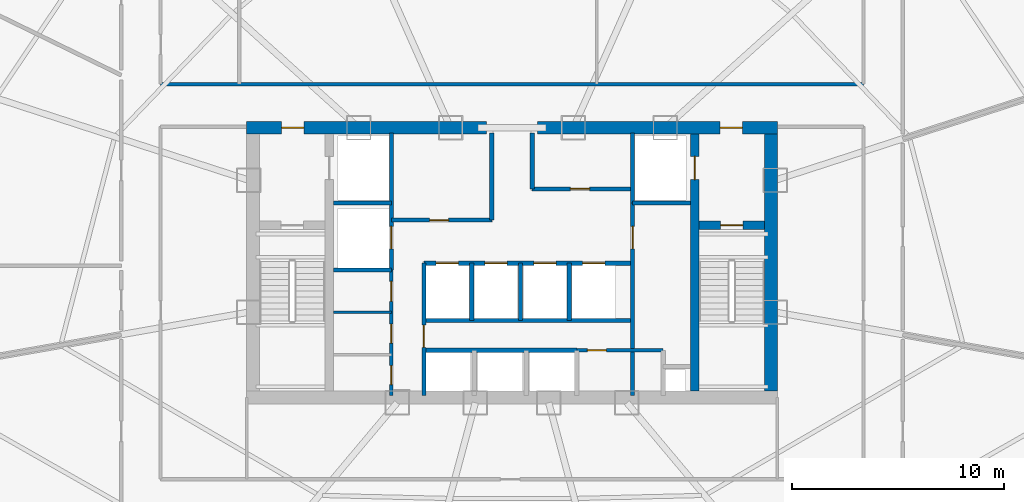
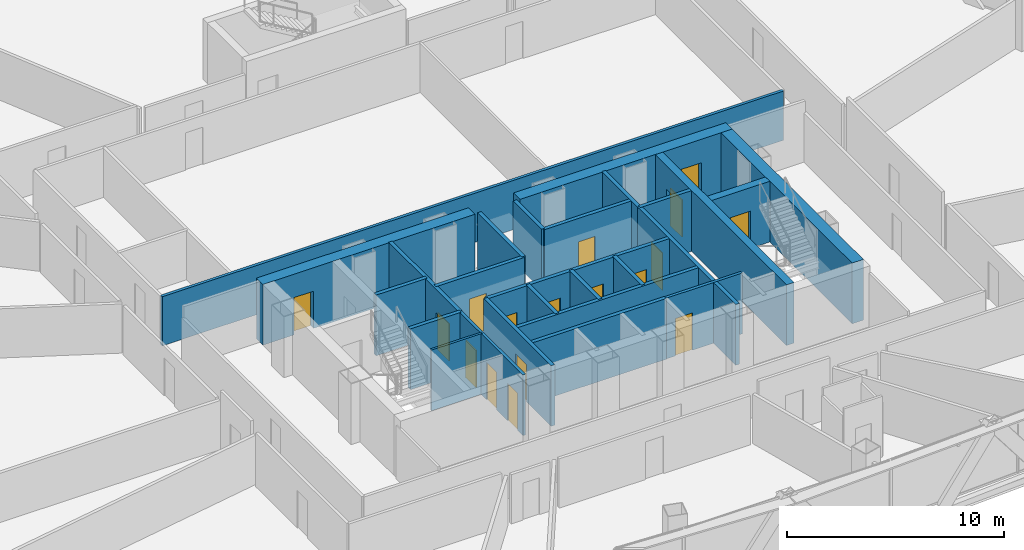
# One storey, part 33 of 39: 26 walls, 17 doors, 17 openings.
"""IFC4 building model written with IfcOpenShell, lengths in metres."""

from ifc_helpers import new_model, si_unit, direction, frame, frame_2d, origin, origin_with_axes, place, context, subcontext, project, spatial, rectangle, extrude, source, transform, mapped, material, layer, layer_set, type_object, element, fill, save


model = new_model("IFC4")

# Units and contexts
model_context = context("Model", 3, precision=1e-05, world=origin(), true_north=direction((0.0, 1.0)))
body_context = subcontext(model_context, "Body", "Model", "MODEL_VIEW")
ifc_project = project(units=[si_unit("LENGTHUNIT", "METRE"), si_unit("AREAUNIT", "SQUARE_METRE"), si_unit("VOLUMEUNIT", "CUBIC_METRE"), si_unit("PLANEANGLEUNIT", "RADIAN"), si_unit("MASSUNIT", "GRAM", prefix="KILO"), si_unit("THERMODYNAMICTEMPERATUREUNIT", "KELVIN"), si_unit("POWERUNIT", "WATT")], contexts=[model_context])

# Site, building, storey
site_placement = place(None, origin())
site = spatial("IfcSite", under=ifc_project, at=site_placement, CompositionType="ELEMENT")
building_placement = place(site_placement, origin())
building = spatial("IfcBuilding", under=site, at=building_placement, Name="Yunzhuo Pagoda Commons", CompositionType="ELEMENT")
storey_placement = place(building_placement, frame((0.0, 0.0, 148.22998046875)))
storey = spatial("IfcBuildingStorey", under=building, at=storey_placement, Name="L37", CompositionType="ELEMENT", Elevation=148.22998046875)

# Wall, opening, door
ifc_material_1 = material(Name="Concrete C60", Category="concrete")
ifc_layer_1 = layer(ifc_material_1, 0.60009765625)
ifc_layer_set_1 = layer_set([ifc_layer_1], Name="Concrete C60")
wall_type_1 = type_object("IfcWallType", Name="W-C02 Mid Core Shear Wall 600", PredefinedType="SHEAR", material=ifc_layer_set_1)
wall_1_placement = place(storey_placement, frame((35.5, 40.199951171875, 0.0), z_axis=(0.0, 0.0, 1.0), x_axis=(1.0, 0.0, 0.0)))
wall_1 = element("IfcWall", 1, at=wall_1_placement, inside=storey, type_object=wall_type_1, Name="L37 core shear wall NW", PredefinedType="SHEAR", context=body_context, shape_type="SweptSolid", body=[
    extrude(rectangle(XDim=11.300048828125, YDim=0.60009765625, at=frame_2d((5.64990234375, 0.0))), origin(), (0.0, 0.0, 1.0), 3.419921875),
])
opening_1_placement = place(wall_1_placement, frame((1.64990234375, 0.0, 0.0)))
opening_1 = element("IfcOpeningElement", 2, at=opening_1_placement, cuts=wall_1, Name="Opening D-02", PredefinedType="OPENING", context=body_context, shape_type="SweptSolid", body=[
    extrude(rectangle(XDim=1.050048828125, YDim=2.10009765625, at=frame_2d((0.52490234375, 1.050048828125))), frame((0.0, 0.31005859375, 0.0), z_axis=(0.0, -1.0, 0.0), x_axis=(1.0, 0.0, 0.0)), (0.0, 0.0, 1.0), 0.6201171875),
])
ifc_material_2 = material(Name="Galvanized fire-resisting metal leaf")
door_type_1 = type_object("IfcDoorType", Name="D-02 Firefighting Lobby & Refuge Fire Door 1050x2100", OperationType="NOTDEFINED", PredefinedType="DOOR", material=ifc_material_2)
shared_shape_1 = source(origin(), body_context, "Body", "SweptSolid", [
    extrude(rectangle(XDim=1.050048828125, YDim=2.10009765625, at=frame_2d((0.52490234375, 1.050048828125))), frame((0.0, 0.02490234375, 0.0), z_axis=(0.0, -1.0, 0.0), x_axis=(1.0, 0.0, 0.0)), (0.0, 0.0, 1.0), 0.050048828125),
])
door_1_placement = place(opening_1_placement, frame((1.050048828125, 0.0, 0.0), z_axis=(0.0, 0.0, 1.0), x_axis=(-1.0, 0.0, 0.0)))
door_1 = element("IfcDoor", 3, at=door_1_placement, inside=storey, type_object=door_type_1, Name="L37 Firefighting Lobby 1 fire door", OperationType="SINGLE_SWING_LEFT", OverallHeight=2.10009765625, OverallWidth=1.050048828125, PredefinedType="DOOR", context=body_context, shape_type="MappedRepresentation", body=[
    mapped(shared_shape_1, transform((0.0, 0.0, 0.0), scale=1.0)),
])
fill(opening_1, door_1)

wall_2_placement = place(storey_placement, frame((49.199951171875, 40.199951171875, 0.0), z_axis=(0.0, 0.0, 1.0), x_axis=(1.0, 0.0, 0.0)))
wall_2 = element("IfcWall", 4, at=wall_2_placement, inside=storey, type_object=wall_type_1, Name="L37 core shear wall NE", PredefinedType="SHEAR", context=body_context, shape_type="SweptSolid", body=[
    extrude(rectangle(XDim=11.300048828125, YDim=0.60009765625, at=frame_2d((5.64990234375, 0.0))), origin(), (0.0, 0.0, 1.0), 3.419921875),
])
opening_2_placement = place(wall_2_placement, frame((8.60009765625, 0.0, 0.0)))
opening_2 = element("IfcOpeningElement", 5, at=opening_2_placement, cuts=wall_2, Name="Opening D-02", PredefinedType="OPENING", context=body_context, shape_type="SweptSolid", body=[
    extrude(rectangle(XDim=1.050048828125, YDim=2.10009765625, at=frame_2d((0.52490234375, 1.050048828125))), frame((0.0, 0.31005859375, 0.0), z_axis=(0.0, -1.0, 0.0), x_axis=(1.0, 0.0, 0.0)), (0.0, 0.0, 1.0), 0.6201171875),
])
door_2_placement = place(opening_2_placement, frame((1.050048828125, 0.0, 0.0), z_axis=(0.0, 0.0, 1.0), x_axis=(-1.0, 0.0, 0.0)))
door_2 = element("IfcDoor", 6, at=door_2_placement, inside=storey, type_object=door_type_1, Name="L37 Firefighting Lobby 2 fire door", OperationType="SINGLE_SWING_RIGHT", OverallHeight=2.10009765625, OverallWidth=1.050048828125, PredefinedType="DOOR", context=body_context, shape_type="MappedRepresentation", body=[
    mapped(shared_shape_1, transform((0.0, 0.0, 0.0), scale=1.0)),
])
fill(opening_2, door_2)

# Wall
wall_3_placement = place(storey_placement, frame((60.199951171875, 27.800048828125, 0.0), z_axis=(0.0, 0.0, 1.0), x_axis=(0.0, 1.0, 0.0)))
element("IfcWall", 7, at=wall_3_placement, inside=storey, type_object=wall_type_1, Name="L37 core shear wall E", PredefinedType="SHEAR", context=body_context, shape_type="SweptSolid", body=[
    extrude(rectangle(XDim=12.099853515625, YDim=0.60009765625, at=frame_2d((6.0498046875, 0.0))), origin(), (0.0, 0.0, 1.0), 3.419921875),
])

# Wall, openings, doors
ifc_material_3 = material(Name="Gypsum plasterboard on acoustic stud")
ifc_layer_2 = layer(ifc_material_3, 0.155029296875)
ifc_layer_set_2 = layer_set([ifc_layer_2], Name="Gypsum plasterboard on acoustic stud")
wall_type_2 = type_object("IfcWallType", Name="W-COR2 Mid-Zone Rated Corridor Wall 155", PredefinedType="PARTITIONING", material=ifc_layer_set_2)
wall_4_placement = place(storey_placement, frame((42.320068359375, 27.60009765625, 0.0), z_axis=(0.0, 0.0, 1.0), x_axis=(0.0, 1.0, 0.0)))
wall_4 = element("IfcWall", 8, at=wall_4_placement, inside=storey, type_object=wall_type_2, Name="L37 interior wall IW-L37-CSWE", PredefinedType="PARTITIONING", context=body_context, shape_type="SweptSolid", body=[
    extrude(rectangle(XDim=5.89990234375, YDim=0.155029296875, at=frame_2d((2.949951171875, 0.0))), origin(), (0.0, 0.0, 1.0), 3.419921875),
])
opening_3_placement = place(wall_4_placement, frame((0.5, 0.0, 0.0)))
opening_3 = element("IfcOpeningElement", 9, at=opening_3_placement, cuts=wall_4, Name="Opening D-03", PredefinedType="OPENING", context=body_context, shape_type="SweptSolid", body=[
    extrude(rectangle(XDim=0.89990234375, YDim=2.10009765625, at=frame_2d((0.449951171875, 1.050048828125))), frame((0.0, 0.08740234375, 0.0), z_axis=(0.0, -1.0, 0.0), x_axis=(1.0, 0.0, 0.0)), (0.0, 0.0, 1.0), 0.175048828125),
])
opening_4_placement = place(wall_4_placement, frame((2.449951171875, 0.0, 0.0)))
opening_4 = element("IfcOpeningElement", 10, at=opening_4_placement, cuts=wall_4, Name="Opening D-03", PredefinedType="OPENING", context=body_context, shape_type="SweptSolid", body=[
    extrude(rectangle(XDim=0.89990234375, YDim=2.10009765625, at=frame_2d((0.449951171875, 1.050048828125))), frame((0.0, 0.08740234375, 0.0), z_axis=(0.0, -1.0, 0.0), x_axis=(1.0, 0.0, 0.0)), (0.0, 0.0, 1.0), 0.175048828125),
])
opening_5_placement = place(wall_4_placement, frame((4.419921875, 0.0, 0.0)))
opening_5 = element("IfcOpeningElement", 11, at=opening_5_placement, cuts=wall_4, Name="Opening D-11", PredefinedType="OPENING", context=body_context, shape_type="SweptSolid", body=[
    extrude(rectangle(XDim=0.93994140625, YDim=2.10009765625, at=frame_2d((0.469970703125, 1.050048828125))), frame((0.0, 0.08740234375, 0.0), z_axis=(0.0, -1.0, 0.0), x_axis=(1.0, 0.0, 0.0)), (0.0, 0.0, 1.0), 0.175048828125),
])
door_type_2 = type_object("IfcDoorType", Name="D-03 Core Service Fire Door 900x2100", OperationType="NOTDEFINED", PredefinedType="DOOR", material=ifc_material_2)
shared_shape_2 = source(origin(), body_context, "Body", "SweptSolid", [
    extrude(rectangle(XDim=0.89990234375, YDim=2.10009765625, at=frame_2d((0.449951171875, 1.050048828125))), frame((0.0, 0.02490234375, 0.0), z_axis=(0.0, -1.0, 0.0), x_axis=(1.0, 0.0, 0.0)), (0.0, 0.0, 1.0), 0.050048828125),
])
door_3_placement = place(opening_3_placement, origin_with_axes())
door_3 = element("IfcDoor", 12, at=door_3_placement, inside=storey, type_object=door_type_2, Name="L37 switch door", OperationType="SINGLE_SWING_RIGHT", OverallHeight=2.10009765625, OverallWidth=0.89990234375, PredefinedType="DOOR", context=body_context, shape_type="MappedRepresentation", body=[
    mapped(shared_shape_2, transform((0.0, 0.0, 0.0), scale=1.0)),
])
fill(opening_3, door_3)
door_4_placement = place(opening_4_placement, origin_with_axes())
door_4 = element("IfcDoor", 13, at=door_4_placement, inside=storey, type_object=door_type_2, Name="L37 cleaner door", OperationType="SINGLE_SWING_RIGHT", OverallHeight=2.10009765625, OverallWidth=0.89990234375, PredefinedType="DOOR", context=body_context, shape_type="MappedRepresentation", body=[
    mapped(shared_shape_2, transform((0.0, 0.0, 0.0), scale=1.0)),
])
fill(opening_4, door_4)
door_type_3 = type_object("IfcDoorType", Name="D-11 Accessible Washroom Fire Door 940x2100", OperationType="NOTDEFINED", PredefinedType="DOOR", material=ifc_material_2)
shared_shape_3 = source(origin(), body_context, "Body", "SweptSolid", [
    extrude(rectangle(XDim=0.93994140625, YDim=2.10009765625, at=frame_2d((0.469970703125, 1.050048828125))), frame((0.0, 0.02490234375, 0.0), z_axis=(0.0, -1.0, 0.0), x_axis=(1.0, 0.0, 0.0)), (0.0, 0.0, 1.0), 0.050048828125),
])
door_5_placement = place(opening_5_placement, origin_with_axes())
door_5 = element("IfcDoor", 14, at=door_5_placement, inside=storey, type_object=door_type_3, Name="L37 core WC door", OperationType="SINGLE_SWING_LEFT", OverallHeight=2.10009765625, OverallWidth=0.93994140625, PredefinedType="DOOR", context=body_context, shape_type="MappedRepresentation", body=[
    mapped(shared_shape_3, transform((0.0, 0.0, 0.0), scale=1.0)),
])
fill(opening_5, door_5)

# Wall, opening, door
wall_5_placement = place(storey_placement, frame((51.050048828125, 29.719970703125, 0.0), z_axis=(0.0, 0.0, 1.0), x_axis=(1.0, 0.0, 0.0)))
wall_5 = element("IfcWall", 15, at=wall_5_placement, inside=storey, type_object=wall_type_2, Name="L37 interior wall IW-L37-CSES", PredefinedType="PARTITIONING", context=body_context, shape_type="SweptSolid", body=[
    extrude(rectangle(XDim=4.070068359375, YDim=0.155029296875, at=frame_2d((2.03515625, 0.0))), origin(), (0.0, 0.0, 1.0), 3.419921875),
])
opening_6_placement = place(wall_5_placement, frame((0.5, 0.0, 0.0)))
opening_6 = element("IfcOpeningElement", 16, at=opening_6_placement, cuts=wall_5, Name="Opening D-03", PredefinedType="OPENING", context=body_context, shape_type="SweptSolid", body=[
    extrude(rectangle(XDim=0.89990234375, YDim=2.10009765625, at=frame_2d((0.449951171875, 1.050048828125))), frame((0.0, 0.08740234375, 0.0), z_axis=(0.0, -1.0, 0.0), x_axis=(1.0, 0.0, 0.0)), (0.0, 0.0, 1.0), 0.175048828125),
])
door_6_placement = place(opening_6_placement, origin_with_axes())
door_6 = element("IfcDoor", 17, at=door_6_placement, inside=storey, type_object=door_type_2, Name="L37 core pantry door", OperationType="SINGLE_SWING_RIGHT", OverallHeight=2.10009765625, OverallWidth=0.89990234375, PredefinedType="DOOR", context=body_context, shape_type="MappedRepresentation", body=[
    mapped(shared_shape_2, transform((0.0, 0.0, 0.0), scale=1.0)),
])
fill(opening_6, door_6)

# Walls
wall_6_placement = place(storey_placement, frame((31.449951171875, 42.25, 0.0), z_axis=(0.0, 0.0, 1.0), x_axis=(1.0, 0.0, 0.0)))
element("IfcWall", 18, at=wall_6_placement, inside=storey, type_object=wall_type_2, Name="L37 interior wall IW-L37-MCNS", PredefinedType="PARTITIONING", context=body_context, shape_type="SweptSolid", body=[
    extrude(rectangle(XDim=33.10009765625, YDim=0.155029296875, at=frame_2d((16.550048828125, 0.0))), origin(), (0.0, 0.0, 1.0), 2.77001953125),
])
ifc_layer_3 = layer(ifc_material_3, 0.1201171875)
ifc_layer_set_3 = layer_set([ifc_layer_3], Name="Gypsum plasterboard on acoustic stud")
wall_type_3 = type_object("IfcWallType", Name="W-PRT1 Suite & Bathroom Partition 120", PredefinedType="PARTITIONING", material=ifc_layer_set_3)
wall_7_placement = place(storey_placement, frame((39.60009765625, 31.5, 0.0), z_axis=(0.0, 0.0, 1.0), x_axis=(1.0, 0.0, 0.0)))
element("IfcWall", 19, at=wall_7_placement, inside=storey, type_object=wall_type_3, Name="L37 interior wall IW-L37-CC2", PredefinedType="PARTITIONING", context=body_context, shape_type="SweptSolid", body=[
    extrude(rectangle(XDim=2.719970703125, YDim=0.1201171875, at=frame_2d((1.35986328125, 0.0))), origin(), (0.0, 0.0, 1.0), 3.419921875),
])

# Wall, opening, door
ifc_layer_4 = layer(ifc_material_1, 0.39990234375)
ifc_layer_set_4 = layer_set([ifc_layer_4], Name="Concrete C60")
wall_type_4 = type_object("IfcWallType", Name="W-S01 Internal Core Shear Web 400", PredefinedType="SHEAR", material=ifc_layer_set_4)
wall_8_placement = place(storey_placement, frame((56.60009765625, 27.800048828125, 0.0), z_axis=(0.0, 0.0, 1.0), x_axis=(0.0, 1.0, 0.0)))
wall_8 = element("IfcWall", 20, at=wall_8_placement, inside=storey, type_object=wall_type_4, Name="L37 core shear wall WEBE", PredefinedType="SHEAR", context=body_context, shape_type="SweptSolid", body=[
    extrude(rectangle(XDim=12.099853515625, YDim=0.39990234375, at=frame_2d((6.0498046875, 0.0))), origin(), (0.0, 0.0, 1.0), 3.419921875),
])
opening_7_placement = place(wall_8_placement, frame((9.949951171875, 0.0, 0.0)))
opening_7 = element("IfcOpeningElement", 21, at=opening_7_placement, cuts=wall_8, Name="Opening LD-01", PredefinedType="OPENING", context=body_context, shape_type="SweptSolid", body=[
    extrude(rectangle(XDim=1.10009765625, YDim=2.10009765625, at=frame_2d((0.550048828125, 1.050048828125))), frame((0.0, 0.2099609375, 0.0), z_axis=(0.0, -1.0, 0.0), x_axis=(1.0, 0.0, 0.0)), (0.0, 0.0, 1.0), 0.419921875),
])
door_type_4 = type_object("IfcDoorType", Name="LD-01 Firefighting Lift Landing Door 1100x2100", OperationType="DOUBLE_DOOR_SLIDING", PredefinedType="DOOR", material=ifc_material_2)
shared_shape_4 = source(origin(), body_context, "Body", "SweptSolid", [
    extrude(rectangle(XDim=1.10009765625, YDim=2.10009765625, at=frame_2d((0.550048828125, 1.050048828125))), frame((0.0, 0.02490234375, 0.0), z_axis=(0.0, -1.0, 0.0), x_axis=(1.0, 0.0, 0.0)), (0.0, 0.0, 1.0), 0.050048828125),
])
door_7_placement = place(opening_7_placement, origin_with_axes())
door_7 = element("IfcDoor", 22, at=door_7_placement, inside=storey, type_object=door_type_4, Name="L37 Firefighting lift FL-2 landing door", OperationType="DOUBLE_DOOR_SLIDING", OverallHeight=2.10009765625, OverallWidth=1.10009765625, PredefinedType="DOOR", context=body_context, shape_type="MappedRepresentation", body=[
    mapped(shared_shape_4, transform((0.0, 0.0, 0.0), scale=1.0)),
])
fill(opening_7, door_7)

wall_9_placement = place(storey_placement, frame((56.800048828125, 35.60009765625, 0.0), z_axis=(0.0, 0.0, 1.0), x_axis=(1.0, 0.0, 0.0)))
wall_9 = element("IfcWall", 23, at=wall_9_placement, inside=storey, type_object=wall_type_4, Name="L37 core shear wall STE", PredefinedType="SHEAR", context=body_context, shape_type="SweptSolid", body=[
    extrude(rectangle(XDim=3.099853515625, YDim=0.39990234375, at=frame_2d((1.5498046875, 0.0))), origin(), (0.0, 0.0, 1.0), 3.419921875),
])
opening_8_placement = place(wall_9_placement, frame((1.02001953125, 0.0, 0.0)))
opening_8 = element("IfcOpeningElement", 24, at=opening_8_placement, cuts=wall_9, Name="Opening D-01", PredefinedType="OPENING", context=body_context, shape_type="SweptSolid", body=[
    extrude(rectangle(XDim=1.050048828125, YDim=2.10009765625, at=frame_2d((0.52490234375, 1.050048828125))), frame((0.0, 0.2099609375, 0.0), z_axis=(0.0, -1.0, 0.0), x_axis=(1.0, 0.0, 0.0)), (0.0, 0.0, 1.0), 0.419921875),
])
door_type_5 = type_object("IfcDoorType", Name="D-01 Smokeproof Stair Fire Door 1050x2100", OperationType="NOTDEFINED", PredefinedType="DOOR", material=ifc_material_2)
door_8_placement = place(opening_8_placement, frame((1.050048828125, 0.0, 0.0), z_axis=(0.0, 0.0, 1.0), x_axis=(-1.0, 0.0, 0.0)))
door_8 = element("IfcDoor", 25, at=door_8_placement, inside=storey, type_object=door_type_5, Name="L37 Stair ST2 fire door", OperationType="SINGLE_SWING_RIGHT", OverallHeight=2.10009765625, OverallWidth=1.050048828125, PredefinedType="DOOR", context=body_context, shape_type="MappedRepresentation", body=[
    mapped(shared_shape_1, transform((0.0, 0.0, 0.0), scale=1.0)),
])
fill(opening_8, door_8)

ifc_material_4 = material(Name="Concrete C40", Category="concrete")
ifc_layer_5 = layer(ifc_material_4, 0.199951171875)
ifc_layer_set_5 = layer_set([ifc_layer_5], Name="Concrete C40")
wall_type_5 = type_object("IfcWallType", Name="W-SHF Shaft & Stair Enclosure Wall 200", PredefinedType="SOLIDWALL", material=ifc_layer_set_5)
wall_10_placement = place(storey_placement, frame((42.320068359375, 33.5, 0.0), z_axis=(0.0, 0.0, 1.0), x_axis=(0.0, 1.0, 0.0)))
wall_10 = element("IfcWall", 26, at=wall_10_placement, inside=storey, type_object=wall_type_5, Name="L37 interior wall IW-L37-FL1E", PredefinedType="SOLIDWALL", context=body_context, shape_type="SweptSolid", body=[
    extrude(rectangle(XDim=6.449951171875, YDim=0.199951171875, at=frame_2d((3.22509765625, 0.0))), origin(), (0.0, 0.0, 1.0), 3.419921875),
])
opening_9_placement = place(wall_10_placement, frame((1.0, 0.0, 0.0)))
opening_9 = element("IfcOpeningElement", 27, at=opening_9_placement, cuts=wall_10, Name="Opening LD-02", PredefinedType="OPENING", context=body_context, shape_type="SweptSolid", body=[
    extrude(rectangle(XDim=1.050048828125, YDim=2.10009765625, at=frame_2d((0.52490234375, 1.050048828125))), frame((0.0, 0.10986328125, 0.0), z_axis=(0.0, -1.0, 0.0), x_axis=(1.0, 0.0, 0.0)), (0.0, 0.0, 1.0), 0.219970703125),
])
door_type_6 = type_object("IfcDoorType", Name="LD-02 Passenger Lift Landing Door 1050x2100", OperationType="DOUBLE_DOOR_SLIDING", PredefinedType="DOOR", material=ifc_material_2)
door_9_placement = place(opening_9_placement, origin_with_axes())
door_9 = element("IfcDoor", 28, at=door_9_placement, inside=storey, type_object=door_type_6, Name="L37 Service lift SL-1 landing door", OperationType="DOUBLE_DOOR_SLIDING", OverallHeight=2.10009765625, OverallWidth=1.050048828125, PredefinedType="DOOR", context=body_context, shape_type="MappedRepresentation", body=[
    mapped(shared_shape_1, transform((0.0, 0.0, 0.0), scale=1.0)),
])
fill(opening_9, door_9)

# Walls
for number, where, z_axis, x_axis, name in (
    (29, (39.60009765625, 36.64990234375, 0.0), (0.0, 0.0, 1.0), (1.0, 0.0, 0.0), "L37 interior wall IW-L37-FL1S"),
    (30, (39.60009765625, 33.5, 0.0), (0.0, 0.0, 1.0), (1.0, 0.0, 0.0), "L37 interior wall IW-L37-SL1S"),
):
    element("IfcWall", number, at=place(storey_placement, frame(where, z_axis=z_axis, x_axis=x_axis)), inside=storey, type_object=wall_type_5, Name=name, PredefinedType="SOLIDWALL", context=body_context, shape_type="SweptSolid", body=[
        extrude(rectangle(XDim=2.719970703125, YDim=0.199951171875, at=frame_2d((1.35986328125, 0.0))), origin(), (0.0, 0.0, 1.0), 3.419921875),
    ])
wall_11_placement = place(storey_placement, frame((53.679931640625, 36.64990234375, 0.0), z_axis=(0.0, 0.0, 1.0), x_axis=(0.0, 1.0, 0.0)))
element("IfcWall", 31, at=wall_11_placement, inside=storey, type_object=wall_type_5, Name="L37 interior wall IW-L37-FL2W", PredefinedType="SOLIDWALL", context=body_context, shape_type="SweptSolid", body=[
    extrude(rectangle(XDim=3.300048828125, YDim=0.199951171875, at=frame_2d((1.64990234375, 0.0))), origin(), (0.0, 0.0, 1.0), 3.419921875),
])
wall_12_placement = place(storey_placement, frame((53.679931640625, 36.64990234375, 0.0), z_axis=(0.0, 0.0, 1.0), x_axis=(1.0, 0.0, 0.0)))
element("IfcWall", 32, at=wall_12_placement, inside=storey, type_object=wall_type_5, Name="L37 interior wall IW-L37-FL2S", PredefinedType="SOLIDWALL", context=body_context, shape_type="SweptSolid", body=[
    extrude(rectangle(XDim=2.719970703125, YDim=0.199951171875, at=frame_2d((1.35986328125, 0.0))), origin(), (0.0, 0.0, 1.0), 3.419921875),
])

# Wall, opening, door
wall_13_placement = place(storey_placement, frame((42.320068359375, 35.85009765625, 0.0), z_axis=(0.0, 0.0, 1.0), x_axis=(1.0, 0.0, 0.0)))
wall_13 = element("IfcWall", 33, at=wall_13_placement, inside=storey, type_object=wall_type_5, Name="L37 interior wall IW-L37-LBNW", PredefinedType="SOLIDWALL", context=body_context, shape_type="SweptSolid", body=[
    extrude(rectangle(XDim=4.72998046875, YDim=0.199951171875, at=frame_2d((2.364990234375, 0.0))), origin(), (0.0, 0.0, 1.0), 3.419921875),
])
opening_10_placement = place(wall_13_placement, frame((1.800048828125, 0.0, 0.0)))
opening_10 = element("IfcOpeningElement", 34, at=opening_10_placement, cuts=wall_13, Name="Opening D-03", PredefinedType="OPENING", context=body_context, shape_type="SweptSolid", body=[
    extrude(rectangle(XDim=0.89990234375, YDim=2.10009765625, at=frame_2d((0.449951171875, 1.050048828125))), frame((0.0, 0.10986328125, 0.0), z_axis=(0.0, -1.0, 0.0), x_axis=(1.0, 0.0, 0.0)), (0.0, 0.0, 1.0), 0.219970703125),
])
door_10_placement = place(opening_10_placement, frame((0.89990234375, 0.0, 0.0), z_axis=(0.0, 0.0, 1.0), x_axis=(-1.0, 0.0, 0.0)))
door_10 = element("IfcDoor", 35, at=door_10_placement, inside=storey, type_object=door_type_2, Name="L37 core west store door", OperationType="SINGLE_SWING_LEFT", OverallHeight=2.10009765625, OverallWidth=0.89990234375, PredefinedType="DOOR", context=body_context, shape_type="MappedRepresentation", body=[
    mapped(shared_shape_2, transform((0.0, 0.0, 0.0), scale=1.0)),
])
fill(opening_10, door_10)

wall_14_placement = place(storey_placement, frame((48.949951171875, 37.320068359375, 0.0), z_axis=(0.0, 0.0, 1.0), x_axis=(1.0, 0.0, 0.0)))
wall_14 = element("IfcWall", 36, at=wall_14_placement, inside=storey, type_object=wall_type_5, Name="L37 interior wall IW-L37-LBNE", PredefinedType="SOLIDWALL", context=body_context, shape_type="SweptSolid", body=[
    extrude(rectangle(XDim=4.72998046875, YDim=0.199951171875, at=frame_2d((2.364990234375, 0.0))), origin(), (0.0, 0.0, 1.0), 3.419921875),
])
opening_11_placement = place(wall_14_placement, frame((1.800048828125, 0.0, 0.0)))
opening_11 = element("IfcOpeningElement", 37, at=opening_11_placement, cuts=wall_14, Name="Opening D-03", PredefinedType="OPENING", context=body_context, shape_type="SweptSolid", body=[
    extrude(rectangle(XDim=0.89990234375, YDim=2.10009765625, at=frame_2d((0.449951171875, 1.050048828125))), frame((0.0, 0.10986328125, 0.0), z_axis=(0.0, -1.0, 0.0), x_axis=(1.0, 0.0, 0.0)), (0.0, 0.0, 1.0), 0.219970703125),
])
door_11_placement = place(opening_11_placement, frame((0.89990234375, 0.0, 0.0), z_axis=(0.0, 0.0, 1.0), x_axis=(-1.0, 0.0, 0.0)))
door_11 = element("IfcDoor", 38, at=door_11_placement, inside=storey, type_object=door_type_2, Name="L37 core east store door", OperationType="SINGLE_SWING_RIGHT", OverallHeight=2.10009765625, OverallWidth=0.89990234375, PredefinedType="DOOR", context=body_context, shape_type="MappedRepresentation", body=[
    mapped(shared_shape_2, transform((0.0, 0.0, 0.0), scale=1.0)),
])
fill(opening_11, door_11)

# Walls
wall_15_placement = place(storey_placement, frame((47.050048828125, 35.85009765625, 0.0), z_axis=(0.0, 0.0, 1.0), x_axis=(0.0, 1.0, 0.0)))
element("IfcWall", 39, at=wall_15_placement, inside=storey, type_object=wall_type_5, Name="L37 interior wall IW-L37-THRW", PredefinedType="SOLIDWALL", context=body_context, shape_type="SweptSolid", body=[
    extrude(rectangle(XDim=4.099853515625, YDim=0.199951171875, at=frame_2d((2.0498046875, 0.0))), origin(), (0.0, 0.0, 1.0), 3.419921875),
])
wall_16_placement = place(storey_placement, frame((48.949951171875, 37.320068359375, 0.0), z_axis=(0.0, 0.0, 1.0), x_axis=(0.0, 1.0, 0.0)))
element("IfcWall", 40, at=wall_16_placement, inside=storey, type_object=wall_type_5, Name="L37 interior wall IW-L37-THRE", PredefinedType="SOLIDWALL", context=body_context, shape_type="SweptSolid", body=[
    extrude(rectangle(XDim=2.6298828125, YDim=0.199951171875, at=frame_2d((1.31494140625, 0.0))), origin(), (0.0, 0.0, 1.0), 3.419921875),
])

# Wall, openings, doors
wall_17_placement = place(storey_placement, frame((43.85009765625, 33.820068359375, 0.0), z_axis=(0.0, 0.0, 1.0), x_axis=(1.0, 0.0, 0.0)))
wall_17 = element("IfcWall", 41, at=wall_17_placement, inside=storey, type_object=wall_type_5, Name="L37 interior wall IW-L37-MLBS", PredefinedType="SOLIDWALL", context=body_context, shape_type="SweptSolid", body=[
    extrude(rectangle(XDim=9.829833984375, YDim=0.199951171875, at=frame_2d((4.9150390625, 0.0))), origin(), (0.0, 0.0, 1.0), 3.419921875),
])
opening_12_placement = place(wall_17_placement, frame((0.574951171875, 0.0, 0.0)))
opening_12 = element("IfcOpeningElement", 42, at=opening_12_placement, cuts=wall_17, Name="Opening LD-02", PredefinedType="OPENING", context=body_context, shape_type="SweptSolid", body=[
    extrude(rectangle(XDim=1.050048828125, YDim=2.10009765625, at=frame_2d((0.52490234375, 1.050048828125))), frame((0.0, 0.10986328125, 0.0), z_axis=(0.0, -1.0, 0.0), x_axis=(1.0, 0.0, 0.0)), (0.0, 0.0, 1.0), 0.219970703125),
])
opening_13_placement = place(wall_17_placement, frame((2.875, 0.0, 0.0)))
opening_13 = element("IfcOpeningElement", 43, at=opening_13_placement, cuts=wall_17, Name="Opening LD-02", PredefinedType="OPENING", context=body_context, shape_type="SweptSolid", body=[
    extrude(rectangle(XDim=1.050048828125, YDim=2.10009765625, at=frame_2d((0.52490234375, 1.050048828125))), frame((0.0, 0.10986328125, 0.0), z_axis=(0.0, -1.0, 0.0), x_axis=(1.0, 0.0, 0.0)), (0.0, 0.0, 1.0), 0.219970703125),
])
opening_14_placement = place(wall_17_placement, frame((5.175048828125, 0.0, 0.0)))
opening_14 = element("IfcOpeningElement", 44, at=opening_14_placement, cuts=wall_17, Name="Opening LD-02", PredefinedType="OPENING", context=body_context, shape_type="SweptSolid", body=[
    extrude(rectangle(XDim=1.050048828125, YDim=2.10009765625, at=frame_2d((0.52490234375, 1.050048828125))), frame((0.0, 0.10986328125, 0.0), z_axis=(0.0, -1.0, 0.0), x_axis=(1.0, 0.0, 0.0)), (0.0, 0.0, 1.0), 0.219970703125),
])
opening_15_placement = place(wall_17_placement, frame((7.47509765625, 0.0, 0.0)))
opening_15 = element("IfcOpeningElement", 45, at=opening_15_placement, cuts=wall_17, Name="Opening LD-02", PredefinedType="OPENING", context=body_context, shape_type="SweptSolid", body=[
    extrude(rectangle(XDim=1.050048828125, YDim=2.10009765625, at=frame_2d((0.52490234375, 1.050048828125))), frame((0.0, 0.10986328125, 0.0), z_axis=(0.0, -1.0, 0.0), x_axis=(1.0, 0.0, 0.0)), (0.0, 0.0, 1.0), 0.219970703125),
])
door_12_placement = place(opening_12_placement, origin_with_axes())
door_12 = element("IfcDoor", 46, at=door_12_placement, inside=storey, type_object=door_type_6, Name="L37 Passenger lift PL-M1 landing door", OperationType="DOUBLE_DOOR_SLIDING", OverallHeight=2.10009765625, OverallWidth=1.050048828125, PredefinedType="DOOR", context=body_context, shape_type="MappedRepresentation", body=[
    mapped(shared_shape_1, transform((0.0, 0.0, 0.0), scale=1.0)),
])
fill(opening_12, door_12)
door_13_placement = place(opening_13_placement, origin_with_axes())
door_13 = element("IfcDoor", 47, at=door_13_placement, inside=storey, type_object=door_type_6, Name="L37 Passenger lift PL-M2 landing door", OperationType="DOUBLE_DOOR_SLIDING", OverallHeight=2.10009765625, OverallWidth=1.050048828125, PredefinedType="DOOR", context=body_context, shape_type="MappedRepresentation", body=[
    mapped(shared_shape_1, transform((0.0, 0.0, 0.0), scale=1.0)),
])
fill(opening_13, door_13)
door_14_placement = place(opening_14_placement, origin_with_axes())
door_14 = element("IfcDoor", 48, at=door_14_placement, inside=storey, type_object=door_type_6, Name="L37 Passenger lift PL-M3 landing door", OperationType="DOUBLE_DOOR_SLIDING", OverallHeight=2.10009765625, OverallWidth=1.050048828125, PredefinedType="DOOR", context=body_context, shape_type="MappedRepresentation", body=[
    mapped(shared_shape_1, transform((0.0, 0.0, 0.0), scale=1.0)),
])
fill(opening_14, door_14)
door_15_placement = place(opening_15_placement, origin_with_axes())
door_15 = element("IfcDoor", 49, at=door_15_placement, inside=storey, type_object=door_type_6, Name="L37 Passenger lift PL-M4 landing door", OperationType="DOUBLE_DOOR_SLIDING", OverallHeight=2.10009765625, OverallWidth=1.050048828125, PredefinedType="DOOR", context=body_context, shape_type="MappedRepresentation", body=[
    mapped(shared_shape_1, transform((0.0, 0.0, 0.0), scale=1.0)),
])
fill(opening_15, door_15)

# Wall, opening, door
wall_18_placement = place(storey_placement, frame((43.85009765625, 27.60009765625, 0.0), z_axis=(0.0, 0.0, 1.0), x_axis=(0.0, 1.0, 0.0)))
wall_18 = element("IfcWall", 50, at=wall_18_placement, inside=storey, type_object=wall_type_5, Name="L37 interior wall IW-L37-PLMW", PredefinedType="SOLIDWALL", context=body_context, shape_type="SweptSolid", body=[
    extrude(rectangle(XDim=6.219970703125, YDim=0.199951171875, at=frame_2d((3.10986328125, 0.0))), origin(), (0.0, 0.0, 1.0), 3.419921875),
])
opening_16_placement = place(wall_18_placement, frame((2.25, 0.0, 0.0)))
opening_16 = element("IfcOpeningElement", 51, at=opening_16_placement, cuts=wall_18, Name="Opening D-02", PredefinedType="OPENING", context=body_context, shape_type="SweptSolid", body=[
    extrude(rectangle(XDim=1.050048828125, YDim=2.10009765625, at=frame_2d((0.52490234375, 1.050048828125))), frame((0.0, 0.10986328125, 0.0), z_axis=(0.0, -1.0, 0.0), x_axis=(1.0, 0.0, 0.0)), (0.0, 0.0, 1.0), 0.219970703125),
])
door_16_placement = place(opening_16_placement, frame((1.050048828125, 0.0, 0.0), z_axis=(0.0, 0.0, 1.0), x_axis=(-1.0, 0.0, 0.0)))
door_16 = element("IfcDoor", 52, at=door_16_placement, inside=storey, type_object=door_type_1, Name="L37 High-bank hall west door", OperationType="SINGLE_SWING_LEFT", OverallHeight=2.10009765625, OverallWidth=1.050048828125, PredefinedType="DOOR", context=body_context, shape_type="MappedRepresentation", body=[
    mapped(shared_shape_1, transform((0.0, 0.0, 0.0), scale=1.0)),
])
fill(opening_16, door_16)

wall_19_placement = place(storey_placement, frame((53.679931640625, 27.60009765625, 0.0), z_axis=(0.0, 0.0, 1.0), x_axis=(0.0, 1.0, 0.0)))
wall_19 = element("IfcWall", 53, at=wall_19_placement, inside=storey, type_object=wall_type_5, Name="L37 interior wall IW-L37-PLME", PredefinedType="SOLIDWALL", context=body_context, shape_type="SweptSolid", body=[
    extrude(rectangle(XDim=9.0498046875, YDim=0.199951171875, at=frame_2d((4.52490234375, 0.0))), origin(), (0.0, 0.0, 1.0), 3.419921875),
])
opening_17_placement = place(wall_19_placement, frame((6.89990234375, 0.0, 0.0)))
opening_17 = element("IfcOpeningElement", 54, at=opening_17_placement, cuts=wall_19, Name="Opening D-02", PredefinedType="OPENING", context=body_context, shape_type="SweptSolid", body=[
    extrude(rectangle(XDim=1.050048828125, YDim=2.10009765625, at=frame_2d((0.52490234375, 1.050048828125))), frame((0.0, 0.10986328125, 0.0), z_axis=(0.0, -1.0, 0.0), x_axis=(1.0, 0.0, 0.0)), (0.0, 0.0, 1.0), 0.219970703125),
])
door_17_placement = place(opening_17_placement, origin_with_axes())
door_17 = element("IfcDoor", 55, at=door_17_placement, inside=storey, type_object=door_type_1, Name="L37 High-bank lift hall door", OperationType="SINGLE_SWING_RIGHT", OverallHeight=2.10009765625, OverallWidth=1.050048828125, PredefinedType="DOOR", context=body_context, shape_type="MappedRepresentation", body=[
    mapped(shared_shape_1, transform((0.0, 0.0, 0.0), scale=1.0)),
])
fill(opening_17, door_17)

# Walls
for number, where, z_axis, x_axis, name in (
    (56, (46.10009765625, 31.1201171875, 0.0), (0.0, 0.0, 1.0), (0.0, 1.0, 0.0), "L37 interior wall IW-L37-PLMD1"),
    (57, (48.39990234375, 31.1201171875, 0.0), (0.0, 0.0, 1.0), (0.0, 1.0, 0.0), "L37 interior wall IW-L37-PLMD2"),
    (58, (50.699951171875, 31.1201171875, 0.0), (0.0, 0.0, 1.0), (0.0, 1.0, 0.0), "L37 interior wall IW-L37-PLMD3"),
):
    element("IfcWall", number, at=place(storey_placement, frame(where, z_axis=z_axis, x_axis=x_axis)), inside=storey, type_object=wall_type_5, Name=name, PredefinedType="SOLIDWALL", context=body_context, shape_type="SweptSolid", body=[
        extrude(rectangle(XDim=2.699951171875, YDim=0.199951171875, at=frame_2d((1.35009765625, 0.0))), origin(), (0.0, 0.0, 1.0), 3.419921875),
    ])
wall_20_placement = place(storey_placement, frame((43.85009765625, 29.719970703125, 0.0), z_axis=(0.0, 0.0, 1.0), x_axis=(1.0, 0.0, 0.0)))
element("IfcWall", 59, at=wall_20_placement, inside=storey, type_object=wall_type_5, Name="L37 interior wall IW-L37-PLHN", PredefinedType="SOLIDWALL", context=body_context, shape_type="SweptSolid", body=[
    extrude(rectangle(XDim=7.199951171875, YDim=0.199951171875, at=frame_2d((3.60009765625, 0.0))), origin(), (0.0, 0.0, 1.0), 3.419921875),
])
wall_21_placement = place(storey_placement, frame((43.85009765625, 31.1201171875, 0.0), z_axis=(0.0, 0.0, 1.0), x_axis=(1.0, 0.0, 0.0)))
element("IfcWall", 60, at=wall_21_placement, inside=storey, type_object=wall_type_5, Name="L37 interior wall IW-L37-PLMS2", PredefinedType="SOLIDWALL", context=body_context, shape_type="SweptSolid", body=[
    extrude(rectangle(XDim=9.829833984375, YDim=0.199951171875, at=frame_2d((4.9150390625, 0.0))), origin(), (0.0, 0.0, 1.0), 3.419921875),
])

save(model, "model.ifc")
